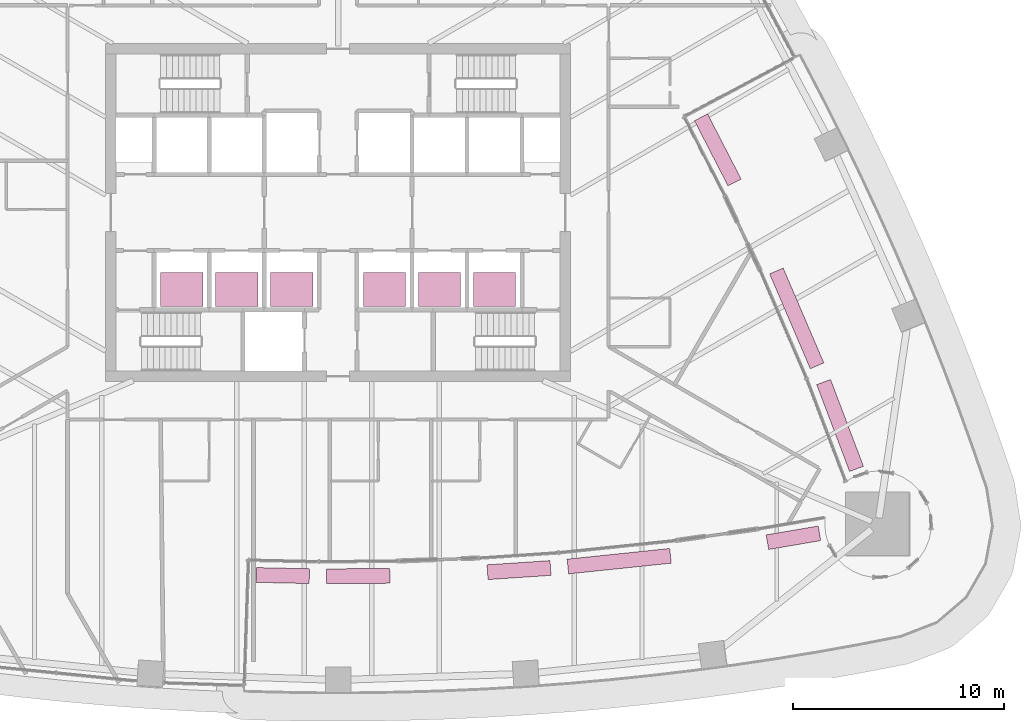
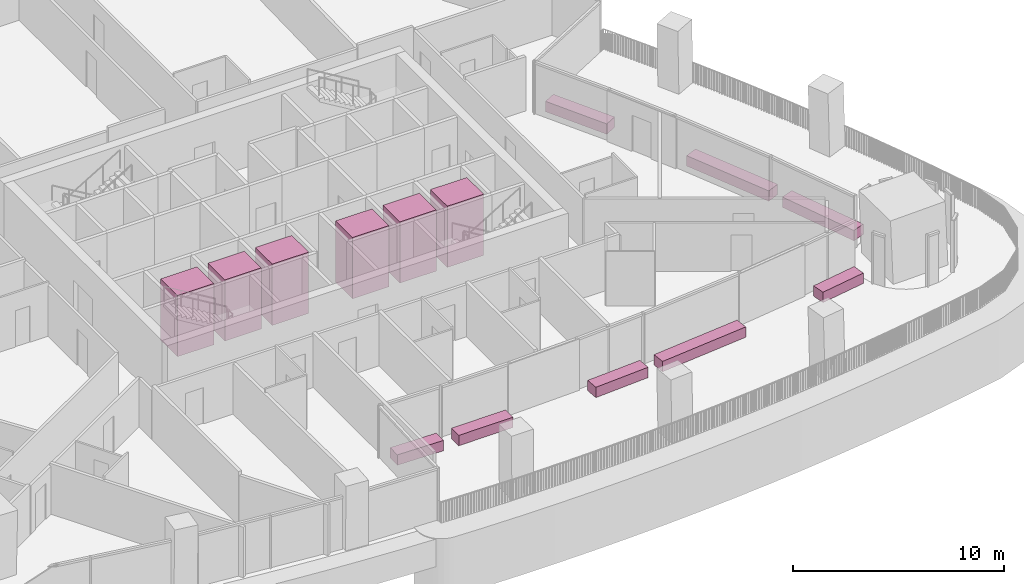
# One storey, part 22 of 22: 8 furniture elements, 6 transport elements.
"""IFC4 building model written with IfcOpenShell, lengths in metres."""

from ifc_helpers import new_model, si_unit, direction, frame, origin, origin_2d, place, context, subcontext, project, spatial, rectangle, extrude, material, type_object, element, save


model = new_model("IFC4")

# Units and contexts
model_context = context("Model", 3, precision=1e-05, world=origin(), true_north=direction((0.0, 1.0)))
body_context = subcontext(model_context, "Body", "Model", "MODEL_VIEW")
ifc_project = project(units=[si_unit("LENGTHUNIT", "METRE"), si_unit("AREAUNIT", "SQUARE_METRE"), si_unit("VOLUMEUNIT", "CUBIC_METRE"), si_unit("PLANEANGLEUNIT", "RADIAN"), si_unit("MASSUNIT", "GRAM", prefix="KILO")], contexts=[model_context])

# Site, building, storey
site_placement = place(None, origin())
site = spatial("IfcSite", under=ifc_project, at=site_placement, CompositionType="ELEMENT")
building_placement = place(site_placement, origin())
building = spatial("IfcBuilding", under=site, at=building_placement, Name="Sierra Prisma Convention Tower", CompositionType="ELEMENT")
storey_placement = place(building_placement, frame((0.0, 0.0, 103.5)))
storey = spatial("IfcBuildingStorey", under=building, at=storey_placement, Name="L22", CompositionType="ELEMENT", Elevation=103.5)

# Transport elements
ifc_material_1 = material(Name="Stainless steel", Category="steel")
transport_element_type = type_object("IfcTransportElementType", Name="Lift car hotel 2000x1600 1600 kg", PredefinedType="ELEVATOR", material=ifc_material_1)
for number, where, z_axis, x_axis, name in (
    (1, (-7.39990234375, -3.64990234375, 0.0), (0.0, 0.0, 1.0), (1.0, 0.0, 0.0), "Lift HT1"),
    (2, (-4.800048828125, -3.64990234375, 0.0), (0.0, 0.0, 1.0), (1.0, 0.0, 0.0), "Lift HT2"),
    (3, (-2.199951171875, -3.64990234375, 0.0), (0.0, 0.0, 1.0), (1.0, 0.0, 0.0), "Lift HT3"),
    (4, (2.199951171875, -3.64990234375, 0.0), (0.0, 0.0, 1.0), (1.0, 0.0, 0.0), "Lift HT4"),
    (5, (4.800048828125, -3.64990234375, 0.0), (0.0, 0.0, 1.0), (1.0, 0.0, 0.0), "Lift HT5"),
    (6, (7.39990234375, -3.64990234375, 0.0), (0.0, 0.0, 1.0), (1.0, 0.0, 0.0), "Lift HT6"),
):
    element("IfcTransportElement", number, at=place(storey_placement, frame(where, z_axis=z_axis, x_axis=x_axis)), inside=storey, type_object=transport_element_type, Name=name, PredefinedType="ELEVATOR", context=body_context, shape_type="SweptSolid", body=[
        extrude(rectangle(XDim=2.0, YDim=1.60009765625, at=origin_2d()), origin(), (0.0, 0.0, 1.0), 3.550048828125),
    ])

# Furniture
ifc_material_2 = material(Name="Precast concrete C40/50", Category="concrete")
furniture_type = type_object("IfcFurnitureType", Name="Terrace planter", AssemblyPlace="NOTDEFINED", PredefinedType="USERDEFINED", material=ifc_material_2)
furniture_1_placement = place(storey_placement, frame((-2.614990234375, -17.177978515625, 0.0400390625), z_axis=(0.0, 0.0, 1.0), x_axis=(0.999753298808, -0.022211292695, 0.0)))
element("IfcFurniture", 7, at=furniture_1_placement, inside=storey, type_object=furniture_type, Name="Planter L22.1", ObjectType="PLANTER", PredefinedType="USERDEFINED", context=body_context, shape_type="SweptSolid", body=[
    extrude(rectangle(XDim=2.506591796875, YDim=0.699951171875, at=origin_2d()), origin(), (0.0, 0.0, 1.0), 0.60009765625),
])
for number, where, z_axis, x_axis, name in (
    (8, (0.95166015625, -17.200927734375, 0.0400390625), (0.0, 0.0, 1.0), (0.999972587755, 0.007404305468, 0.0), "Planter L22.2"),
    (9, (8.55908203125, -16.919189453125, 0.0400390625), (0.0, 0.0, 1.0), (0.997780419547, 0.066590047072, 0.0), "Planter L22.4"),
):
    element("IfcFurniture", number, at=place(storey_placement, frame(where, z_axis=z_axis, x_axis=x_axis)), inside=storey, type_object=furniture_type, Name=name, ObjectType="PLANTER", PredefinedType="USERDEFINED", context=body_context, shape_type="SweptSolid", body=[
        extrude(rectangle(XDim=2.986328125, YDim=0.699951171875, at=origin_2d()), origin(), (0.0, 0.0, 1.0), 0.60009765625),
    ])
furniture_2_placement = place(storey_placement, frame((13.29833984375, -16.4970703125, 0.0400390625), z_axis=(0.0, 0.0, 1.0), x_axis=(0.994631984821, 0.103475672365, 0.0)))
element("IfcFurniture", 10, at=furniture_2_placement, inside=storey, type_object=furniture_type, Name="Planter L22.5", ObjectType="PLANTER", PredefinedType="USERDEFINED", context=body_context, shape_type="SweptSolid", body=[
    extrude(rectangle(XDim=4.87939453125, YDim=0.699951171875, at=origin_2d()), origin(), (0.0, 0.0, 1.0), 0.60009765625),
])
furniture_3_placement = place(storey_placement, frame((21.542236328125, -15.388427734375, 0.0400390625), z_axis=(0.0, 0.0, 1.0), x_axis=(0.985719395001, 0.168396182613, 0.0)))
element("IfcFurniture", 11, at=furniture_3_placement, inside=storey, type_object=furniture_type, Name="Planter L22.7", ObjectType="PLANTER", PredefinedType="USERDEFINED", context=body_context, shape_type="SweptSolid", body=[
    extrude(rectangle(XDim=2.497314453125, YDim=0.699951171875, at=origin_2d()), origin(), (0.0, 0.0, 1.0), 0.60009765625),
])
furniture_4_placement = place(storey_placement, frame((23.748779296875, -10.076171875, 0.0400390625), z_axis=(0.0, 0.0, 1.0), x_axis=(-0.354236821711, 0.935155748602, 0.0)))
element("IfcFurniture", 12, at=furniture_4_placement, inside=storey, type_object=furniture_type, Name="Planter L22.33", ObjectType="PLANTER", PredefinedType="USERDEFINED", context=body_context, shape_type="SweptSolid", body=[
    extrude(rectangle(XDim=4.390380859375, YDim=0.699951171875, at=origin_2d()), origin(), (0.0, 0.0, 1.0), 0.60009765625),
])
furniture_5_placement = place(storey_placement, frame((21.698974609375, -5.011474609375, 0.0400390625), z_axis=(0.0, 0.0, 1.0), x_axis=(-0.394137142557, 0.919051637753, 0.0)))
element("IfcFurniture", 13, at=furniture_5_placement, inside=storey, type_object=furniture_type, Name="Planter L22.34", ObjectType="PLANTER", PredefinedType="USERDEFINED", context=body_context, shape_type="SweptSolid", body=[
    extrude(rectangle(XDim=4.87939453125, YDim=0.699951171875, at=origin_2d()), origin(), (0.0, 0.0, 1.0), 0.60009765625),
])
furniture_6_placement = place(storey_placement, frame((17.963134765625, 2.96142578125, 0.0400390625), z_axis=(0.0, 0.0, 1.0), x_axis=(-0.457425784069, 0.889247801273, 0.0)))
element("IfcFurniture", 14, at=furniture_6_placement, inside=storey, type_object=furniture_type, Name="Planter L22.36", ObjectType="PLANTER", PredefinedType="USERDEFINED", context=body_context, shape_type="SweptSolid", body=[
    extrude(rectangle(XDim=3.4658203125, YDim=0.699951171875, at=origin_2d()), origin(), (0.0, 0.0, 1.0), 0.60009765625),
])

save(model, "model.ifc")
